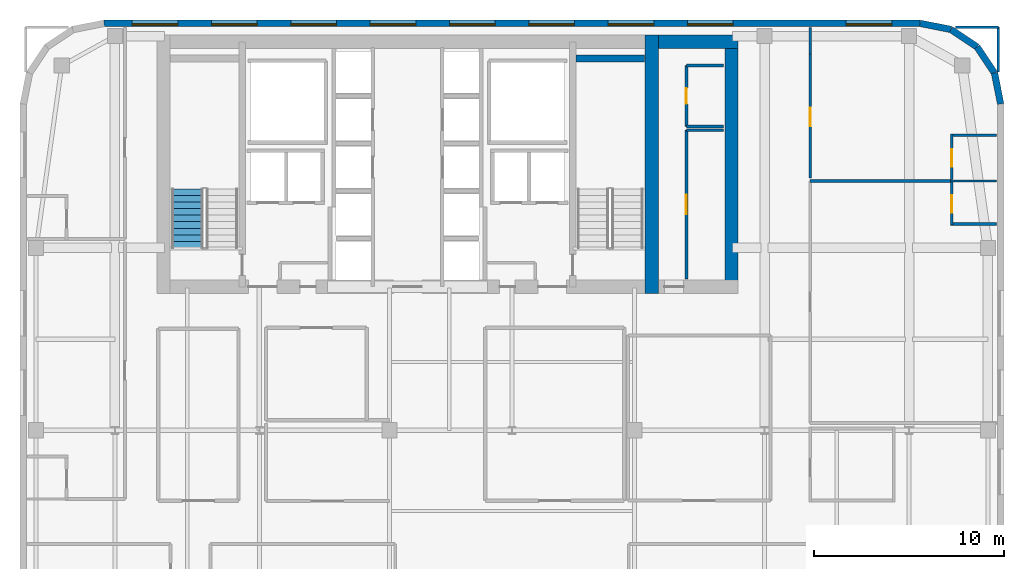
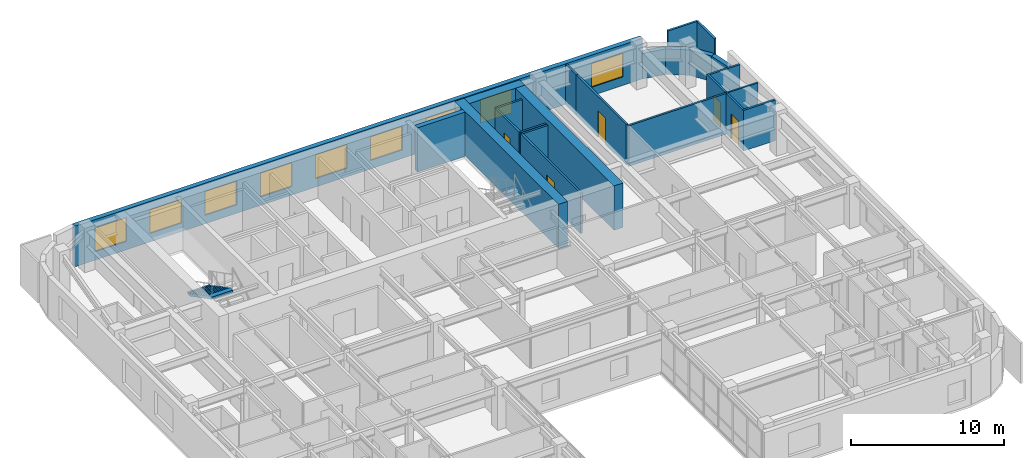
# One storey, part 12 of 14: 24 walls, 9 windows, 5 doors, 1 stair flight, 14 openings, 1 element without a shape of its own.
"""IFC4 building model written with IfcOpenShell, lengths in metres."""

from ifc_helpers import new_model, si_unit, direction, frame, frame_2d, origin, place, context, subcontext, project, spatial, polyline, rectangle, outline, extrude, source, transform, mapped, material, layer, layer_set, type_object, type_shapes, element, fill, aggregate, save


model = new_model("IFC4")

# Units and contexts
model_context = context("Model", 3, precision=1e-05, world=origin(), true_north=direction((0.0, 1.0)))
body_context = subcontext(model_context, "Body", "Model", "MODEL_VIEW")
ifc_project = project(units=[si_unit("LENGTHUNIT", "METRE"), si_unit("AREAUNIT", "SQUARE_METRE"), si_unit("VOLUMEUNIT", "CUBIC_METRE"), si_unit("PLANEANGLEUNIT", "RADIAN"), si_unit("MASSUNIT", "GRAM", prefix="KILO")], contexts=[model_context])

# Site, building, storey
site_placement = place(None, origin())
site = spatial("IfcSite", under=ifc_project, at=site_placement, CompositionType="ELEMENT")
building_placement = place(site_placement, origin())
building = spatial("IfcBuilding", under=site, at=building_placement, Name="Tolvann Quenvar Hotel", CompositionType="ELEMENT")
storey_placement = place(building_placement, frame((0.0, 0.0, 179.0)))
storey = spatial("IfcBuildingStorey", under=building, at=storey_placement, Name="L47", CompositionType="ELEMENT", Elevation=179.0)

# Walls
ifc_material_1 = material(Name="Concrete S65 (65 MPa)", Category="concrete")
ifc_layer_1 = layer(ifc_material_1, 0.699951171875)
ifc_layer_set_1 = layer_set([ifc_layer_1], Name="Concrete S65 (65 MPa)")
wall_type_1 = type_object("IfcWallType", Name="WALL_CORE_700", PredefinedType="SHEAR", material=ifc_layer_set_1)
wall_1_placement = place(storey_placement, frame((35.85009765625, 31.60009765625, 0.0), z_axis=(0.0, 0.0, 1.0), x_axis=(0.0, 1.0, 0.0)))
element("IfcWall", 1, at=wall_1_placement, inside=storey, type_object=wall_type_1, Name="Rear Core E Shear Wall (L47)", PredefinedType="SHEAR", context=body_context, shape_type="SweptSolid", body=[
    extrude(rectangle(XDim=13.599853515625, YDim=0.699951171875, at=frame_2d((6.7998046875, 0.0))), origin(), (0.0, 0.0, 1.0), 3.550048828125),
])
wall_2_placement = place(storey_placement, frame((36.199951171875, 44.85009765625, 0.0), z_axis=(0.0, 0.0, 1.0), x_axis=(1.0, 0.0, 0.0)))
element("IfcWall", 2, at=wall_2_placement, inside=storey, type_object=wall_type_1, Name="Core East Annex Shear Wall ANN-N (L47)", PredefinedType="SHEAR", context=body_context, shape_type="SweptSolid", body=[
    extrude(rectangle(XDim=4.199951171875, YDim=0.699951171875, at=frame_2d((2.10009765625, 0.0))), origin(), (0.0, 0.0, 1.0), 3.550048828125),
])
wall_3_placement = place(storey_placement, frame((40.050048828125, 31.60009765625, 0.0), z_axis=(0.0, 0.0, 1.0), x_axis=(0.0, 1.0, 0.0)))
element("IfcWall", 3, at=wall_3_placement, inside=storey, type_object=wall_type_1, Name="Core East Annex Shear Wall ANN-E (L47)", PredefinedType="SHEAR", context=body_context, shape_type="SweptSolid", body=[
    extrude(rectangle(XDim=13.599853515625, YDim=0.699951171875, at=frame_2d((6.7998046875, 0.0))), origin(), (0.0, 0.0, 1.0), 3.550048828125),
])
ifc_layer_2 = layer(ifc_material_1, 0.35009765625)
ifc_layer_set_2 = layer_set([ifc_layer_2], Name="Concrete S65 (65 MPa)")
wall_type_2 = type_object("IfcWallType", Name="WALL_CORE_INT_350", PredefinedType="SHEAR", material=ifc_layer_set_2)
wall_4_placement = place(storey_placement, frame((31.8798828125, 43.97509765625, 0.0), z_axis=(0.0, 0.0, 1.0), x_axis=(1.0, 0.0, 0.0)))
element("IfcWall", 4, at=wall_4_placement, inside=storey, type_object=wall_type_2, Name="Core Stair North Closing Shear Wall STC2-N (L47)", PredefinedType="SHEAR", context=body_context, shape_type="SweptSolid", body=[
    extrude(rectangle(XDim=3.60009765625, YDim=0.35009765625, at=frame_2d((1.800048828125, 0.0))), origin(), (0.0, 0.0, 1.0), 3.550048828125),
])
ifc_material_2 = material(Name="Kiln-fired red and buff architectural clay brickwork and terracotta masonry", Category="masonry")
ifc_layer_3 = layer(ifc_material_2, 0.35009765625)
ifc_layer_set_3 = layer_set([ifc_layer_3], Name="Kiln-fired red and buff architectural clay brickwork and terracotta masonry")
wall_type_3 = type_object("IfcWallType", Name="WALL_EXT_BRICK_350", PredefinedType="SOLIDWALL", material=ifc_layer_set_3)
wall_5_placement = place(storey_placement, frame((54.22509765625, 41.582763671875, 0.0), z_axis=(0.0, 0.0, 1.0), x_axis=(-0.195044345786, 0.980794424524, 0.0)))
element("IfcWall", 5, at=wall_5_placement, inside=storey, type_object=wall_type_3, Name="Exterior Chicago Brick Wall L47-E14", PredefinedType="SOLIDWALL", context=body_context, shape_type="SweptSolid", body=[
    extrude(rectangle(XDim=1.664794921875, YDim=0.35009765625, at=frame_2d((0.83251953125, 0.0))), origin(), (0.0, 0.0, 1.0), 2.0400390625),
])
for number, where, z_axis, x_axis, name in (
    (6, (53.900390625, 43.215576171875, 0.0), (0.0, 0.0, 1.0), (-0.555623290322, 0.831434158098, 0.0), "Exterior Chicago Brick Wall L47-E15"),
    (7, (52.985107421875, 44.585205078125, 0.0), (0.0, 0.0, 1.0), (-0.831502623162, 0.555520825599, 0.0), "Exterior Chicago Brick Wall L47-E16"),
):
    element("IfcWall", number, at=place(storey_placement, frame(where, z_axis=z_axis, x_axis=x_axis)), inside=storey, type_object=wall_type_3, Name=name, PredefinedType="SOLIDWALL", context=body_context, shape_type="SweptSolid", body=[
        extrude(rectangle(XDim=1.647216796875, YDim=0.35009765625, at=frame_2d((0.82373046875, 0.0))), origin(), (0.0, 0.0, 1.0), 2.0400390625),
    ])
wall_6_placement = place(storey_placement, frame((51.615478515625, 45.500244140625, 0.0), z_axis=(0.0, 0.0, 1.0), x_axis=(-0.980788844421, 0.195072403631, 0.0)))
element("IfcWall", 8, at=wall_6_placement, inside=storey, type_object=wall_type_3, Name="Exterior Chicago Brick Wall L47-E17", PredefinedType="SOLIDWALL", context=body_context, shape_type="SweptSolid", body=[
    extrude(rectangle(XDim=1.66455078125, YDim=0.35009765625, at=frame_2d((0.832275390625, 0.0))), origin(), (0.0, 0.0, 1.0), 2.0400390625),
])

# Wall, openings, windows
wall_7_placement = place(storey_placement, frame((49.98291015625, 45.824951171875, 0.0), z_axis=(0.0, 0.0, 1.0), x_axis=(-1.0, 0.0, 0.0)))
wall_7 = element("IfcWall", 9, at=wall_7_placement, inside=storey, type_object=wall_type_3, Name="Exterior Chicago Brick Wall L47-E18", PredefinedType="SOLIDWALL", context=body_context, shape_type="SweptSolid", body=[
    extrude(rectangle(XDim=42.9658203125, YDim=0.35009765625, at=frame_2d((21.48291015625, 0.0))), origin(), (0.0, 0.0, 1.0), 3.25),
])
opening_1_placement = place(wall_7_placement, frame((1.488037109375, 0.0, 0.679931640625)))
opening_1 = element("IfcOpeningElement", 10, at=opening_1_placement, cuts=wall_7, Name="Opening W-01", PredefinedType="OPENING", context=body_context, shape_type="SweptSolid", body=[
    extrude(rectangle(XDim=2.39990234375, YDim=1.89990234375, at=frame_2d((1.199951171875, 0.949951171875))), frame((0.0, 0.18505859375, 0.0), z_axis=(0.0, -1.0, 0.0), x_axis=(1.0, 0.0, 0.0)), (0.0, 0.0, 1.0), 0.3701171875),
])
opening_2_placement = place(wall_7_placement, frame((9.841064453125, 0.0, 0.679931640625)))
opening_2 = element("IfcOpeningElement", 11, at=opening_2_placement, cuts=wall_7, Name="Opening W-01", PredefinedType="OPENING", context=body_context, shape_type="SweptSolid", body=[
    extrude(rectangle(XDim=2.39990234375, YDim=1.89990234375, at=frame_2d((1.199951171875, 0.949951171875))), frame((0.0, 0.18505859375, 0.0), z_axis=(0.0, -1.0, 0.0), x_axis=(1.0, 0.0, 0.0)), (0.0, 0.0, 1.0), 0.3701171875),
])
opening_3_placement = place(wall_7_placement, frame((14.01806640625, 0.0, 0.679931640625)))
opening_3 = element("IfcOpeningElement", 12, at=opening_3_placement, cuts=wall_7, Name="Opening W-01", PredefinedType="OPENING", context=body_context, shape_type="SweptSolid", body=[
    extrude(rectangle(XDim=2.39990234375, YDim=1.89990234375, at=frame_2d((1.199951171875, 0.949951171875))), frame((0.0, 0.18505859375, 0.0), z_axis=(0.0, -1.0, 0.0), x_axis=(1.0, 0.0, 0.0)), (0.0, 0.0, 1.0), 0.3701171875),
])
opening_4_placement = place(wall_7_placement, frame((18.195068359375, 0.0, 0.679931640625)))
opening_4 = element("IfcOpeningElement", 13, at=opening_4_placement, cuts=wall_7, Name="Opening W-01", PredefinedType="OPENING", context=body_context, shape_type="SweptSolid", body=[
    extrude(rectangle(XDim=2.39990234375, YDim=1.89990234375, at=frame_2d((1.199951171875, 0.949951171875))), frame((0.0, 0.18505859375, 0.0), z_axis=(0.0, -1.0, 0.0), x_axis=(1.0, 0.0, 0.0)), (0.0, 0.0, 1.0), 0.3701171875),
])
opening_5_placement = place(wall_7_placement, frame((22.37109375, 0.0, 0.679931640625)))
opening_5 = element("IfcOpeningElement", 14, at=opening_5_placement, cuts=wall_7, Name="Opening W-01", PredefinedType="OPENING", context=body_context, shape_type="SweptSolid", body=[
    extrude(rectangle(XDim=2.39990234375, YDim=1.89990234375, at=frame_2d((1.199951171875, 0.949951171875))), frame((0.0, 0.18505859375, 0.0), z_axis=(0.0, -1.0, 0.0), x_axis=(1.0, 0.0, 0.0)), (0.0, 0.0, 1.0), 0.3701171875),
])
opening_6_placement = place(wall_7_placement, frame((26.548095703125, 0.0, 0.679931640625)))
opening_6 = element("IfcOpeningElement", 15, at=opening_6_placement, cuts=wall_7, Name="Opening W-01", PredefinedType="OPENING", context=body_context, shape_type="SweptSolid", body=[
    extrude(rectangle(XDim=2.39990234375, YDim=1.89990234375, at=frame_2d((1.199951171875, 0.949951171875))), frame((0.0, 0.18505859375, 0.0), z_axis=(0.0, -1.0, 0.0), x_axis=(1.0, 0.0, 0.0)), (0.0, 0.0, 1.0), 0.3701171875),
])
opening_7_placement = place(wall_7_placement, frame((30.72412109375, 0.0, 0.679931640625)))
opening_7 = element("IfcOpeningElement", 16, at=opening_7_placement, cuts=wall_7, Name="Opening W-01", PredefinedType="OPENING", context=body_context, shape_type="SweptSolid", body=[
    extrude(rectangle(XDim=2.39990234375, YDim=1.89990234375, at=frame_2d((1.199951171875, 0.949951171875))), frame((0.0, 0.18505859375, 0.0), z_axis=(0.0, -1.0, 0.0), x_axis=(1.0, 0.0, 0.0)), (0.0, 0.0, 1.0), 0.3701171875),
])
opening_8_placement = place(wall_7_placement, frame((34.90087890625, 0.0, 0.679931640625)))
opening_8 = element("IfcOpeningElement", 17, at=opening_8_placement, cuts=wall_7, Name="Opening W-01", PredefinedType="OPENING", context=body_context, shape_type="SweptSolid", body=[
    extrude(rectangle(XDim=2.39990234375, YDim=1.89990234375, at=frame_2d((1.199951171875, 0.949951171875))), frame((0.0, 0.18505859375, 0.0), z_axis=(0.0, -1.0, 0.0), x_axis=(1.0, 0.0, 0.0)), (0.0, 0.0, 1.0), 0.3701171875),
])
opening_9_placement = place(wall_7_placement, frame((39.076904296875, 0.0, 0.679931640625)))
opening_9 = element("IfcOpeningElement", 18, at=opening_9_placement, cuts=wall_7, Name="Opening W-01", PredefinedType="OPENING", context=body_context, shape_type="SweptSolid", body=[
    extrude(rectangle(XDim=2.39990234375, YDim=1.89990234375, at=frame_2d((1.199951171875, 0.949951171875))), frame((0.0, 0.18505859375, 0.0), z_axis=(0.0, -1.0, 0.0), x_axis=(1.0, 0.0, 0.0)), (0.0, 0.0, 1.0), 0.3701171875),
])
ifc_material_3 = material(Name="Thermally broken bronze-anodised aluminium frame with double low-E glazing", Category="aluminium")
window_type = type_object("IfcWindowType", Name="WIN_CHI_2400x2050", PartitioningType="TRIPLE_PANEL_HORIZONTAL", PredefinedType="WINDOW", material=ifc_material_3)
shared_shape_1 = source(origin(), body_context, "Body", "SweptSolid", [
    extrude(rectangle(XDim=2.39990234375, YDim=1.89990234375, at=frame_2d((1.199951171875, 0.949951171875))), frame((0.0, 0.090087890625, 0.0), z_axis=(0.0, -1.0, 0.0), x_axis=(1.0, 0.0, 0.0)), (0.0, 0.0, 1.0), 0.06005859375),
])
type_shapes(window_type, [shared_shape_1])
window_1_placement = place(opening_1_placement, origin())
window_1 = element("IfcWindow", 19, at=window_1_placement, inside=storey, type_object=window_type, Name="Chicago Window W-01 (EW-L47-E18-W01)", OverallHeight=1.89990234375, OverallWidth=2.39990234375, PartitioningType="TRIPLE_PANEL_HORIZONTAL", PredefinedType="WINDOW", context=body_context, shape_type="MappedRepresentation", body=[
    mapped(shared_shape_1, transform((0.0, 0.0, 0.0), x_axis=(1.0, 0.0, 0.0), y_axis=(0.0, 1.0, 0.0), z_axis=(0.0, 0.0, 1.0), scale=1.0)),
])
fill(opening_1, window_1)
window_2_placement = place(opening_2_placement, origin())
window_2 = element("IfcWindow", 20, at=window_2_placement, inside=storey, type_object=window_type, Name="Chicago Window W-01 (EW-L47-E18-W02)", OverallHeight=1.89990234375, OverallWidth=2.39990234375, PartitioningType="TRIPLE_PANEL_HORIZONTAL", PredefinedType="WINDOW", context=body_context, shape_type="MappedRepresentation", body=[
    mapped(shared_shape_1, transform((0.0, 0.0, 0.0), x_axis=(1.0, 0.0, 0.0), y_axis=(0.0, 1.0, 0.0), z_axis=(0.0, 0.0, 1.0), scale=1.0)),
])
fill(opening_2, window_2)
window_3_placement = place(opening_3_placement, origin())
window_3 = element("IfcWindow", 21, at=window_3_placement, inside=storey, type_object=window_type, Name="Chicago Window W-01 (EW-L47-E18-W03)", OverallHeight=1.89990234375, OverallWidth=2.39990234375, PartitioningType="TRIPLE_PANEL_HORIZONTAL", PredefinedType="WINDOW", context=body_context, shape_type="MappedRepresentation", body=[
    mapped(shared_shape_1, transform((0.0, 0.0, 0.0), x_axis=(1.0, 0.0, 0.0), y_axis=(0.0, 1.0, 0.0), z_axis=(0.0, 0.0, 1.0), scale=1.0)),
])
fill(opening_3, window_3)
window_4_placement = place(opening_4_placement, origin())
window_4 = element("IfcWindow", 22, at=window_4_placement, inside=storey, type_object=window_type, Name="Chicago Window W-01 (EW-L47-E18-W04)", OverallHeight=1.89990234375, OverallWidth=2.39990234375, PartitioningType="TRIPLE_PANEL_HORIZONTAL", PredefinedType="WINDOW", context=body_context, shape_type="MappedRepresentation", body=[
    mapped(shared_shape_1, transform((0.0, 0.0, 0.0), x_axis=(1.0, 0.0, 0.0), y_axis=(0.0, 1.0, 0.0), z_axis=(0.0, 0.0, 1.0), scale=1.0)),
])
fill(opening_4, window_4)
window_5_placement = place(opening_5_placement, origin())
window_5 = element("IfcWindow", 23, at=window_5_placement, inside=storey, type_object=window_type, Name="Chicago Window W-01 (EW-L47-E18-W05)", OverallHeight=1.89990234375, OverallWidth=2.39990234375, PartitioningType="TRIPLE_PANEL_HORIZONTAL", PredefinedType="WINDOW", context=body_context, shape_type="MappedRepresentation", body=[
    mapped(shared_shape_1, transform((0.0, 0.0, 0.0), x_axis=(1.0, 0.0, 0.0), y_axis=(0.0, 1.0, 0.0), z_axis=(0.0, 0.0, 1.0), scale=1.0)),
])
fill(opening_5, window_5)
window_6_placement = place(opening_6_placement, origin())
window_6 = element("IfcWindow", 24, at=window_6_placement, inside=storey, type_object=window_type, Name="Chicago Window W-01 (EW-L47-E18-W06)", OverallHeight=1.89990234375, OverallWidth=2.39990234375, PartitioningType="TRIPLE_PANEL_HORIZONTAL", PredefinedType="WINDOW", context=body_context, shape_type="MappedRepresentation", body=[
    mapped(shared_shape_1, transform((0.0, 0.0, 0.0), x_axis=(1.0, 0.0, 0.0), y_axis=(0.0, 1.0, 0.0), z_axis=(0.0, 0.0, 1.0), scale=1.0)),
])
fill(opening_6, window_6)
window_7_placement = place(opening_7_placement, origin())
window_7 = element("IfcWindow", 25, at=window_7_placement, inside=storey, type_object=window_type, Name="Chicago Window W-01 (EW-L47-E18-W07)", OverallHeight=1.89990234375, OverallWidth=2.39990234375, PartitioningType="TRIPLE_PANEL_HORIZONTAL", PredefinedType="WINDOW", context=body_context, shape_type="MappedRepresentation", body=[
    mapped(shared_shape_1, transform((0.0, 0.0, 0.0), x_axis=(1.0, 0.0, 0.0), y_axis=(0.0, 1.0, 0.0), z_axis=(0.0, 0.0, 1.0), scale=1.0)),
])
fill(opening_7, window_7)
window_8_placement = place(opening_8_placement, origin())
window_8 = element("IfcWindow", 26, at=window_8_placement, inside=storey, type_object=window_type, Name="Chicago Window W-01 (EW-L47-E18-W08)", OverallHeight=1.89990234375, OverallWidth=2.39990234375, PartitioningType="TRIPLE_PANEL_HORIZONTAL", PredefinedType="WINDOW", context=body_context, shape_type="MappedRepresentation", body=[
    mapped(shared_shape_1, transform((0.0, 0.0, 0.0), x_axis=(1.0, 0.0, 0.0), y_axis=(0.0, 1.0, 0.0), z_axis=(0.0, 0.0, 1.0), scale=1.0)),
])
fill(opening_8, window_8)
window_9_placement = place(opening_9_placement, origin())
window_9 = element("IfcWindow", 27, at=window_9_placement, inside=storey, type_object=window_type, Name="Chicago Window W-01 (EW-L47-E18-W09)", OverallHeight=1.89990234375, OverallWidth=2.39990234375, PartitioningType="TRIPLE_PANEL_HORIZONTAL", PredefinedType="WINDOW", context=body_context, shape_type="MappedRepresentation", body=[
    mapped(shared_shape_1, transform((0.0, 0.0, 0.0), x_axis=(1.0, 0.0, 0.0), y_axis=(0.0, 1.0, 0.0), z_axis=(0.0, 0.0, 1.0), scale=1.0)),
])
fill(opening_9, window_9)

# Wall
ifc_material_4 = material(Name="Moisture-resistant acoustic plumbing wall assembly")
ifc_layer_4 = layer(ifc_material_4, 0.1201171875)
ifc_layer_set_4 = layer_set([ifc_layer_4], Name="Moisture-resistant acoustic plumbing wall assembly")
wall_type_4 = type_object("IfcWallType", Name="WALL_PART_BATH_120", PredefinedType="PLUMBINGWALL", material=ifc_layer_set_4)
wall_8_placement = place(storey_placement, frame((51.580078125, 37.52001953125, 0.0), z_axis=(0.0, 0.0, 1.0), x_axis=(1.0, 0.0, 0.0)))
element("IfcWall", 28, at=wall_8_placement, inside=storey, type_object=wall_type_4, Name="Non-Rated Plumbing Partition PT-SPC-L47-ENS-NE01-N", PredefinedType="PLUMBINGWALL", context=body_context, shape_type="SweptSolid", body=[
    extrude(rectangle(XDim=2.4150390625, YDim=0.1201171875, at=frame_2d((1.20751953125, 0.0))), origin(), (0.0, 0.0, 1.0), 3.25),
])

# Wall, opening, door
ifc_material_5 = material(Name="Acoustic twin-stud fire-rated gypsum plasterboard partition")
ifc_layer_5 = layer(ifc_material_5, 0.14990234375)
ifc_layer_set_5 = layer_set([ifc_layer_5], Name="Acoustic twin-stud fire-rated gypsum plasterboard partition")
wall_type_5 = type_object("IfcWallType", Name="WALL_PART_SUITE_150", PredefinedType="PARTITIONING", material=ifc_layer_set_5)
wall_9_placement = place(storey_placement, frame((51.64990234375, 35.199951171875, 0.0), z_axis=(0.0, 0.0, 1.0), x_axis=(0.0, 1.0, 0.0)))
wall_9 = element("IfcWall", 29, at=wall_9_placement, inside=storey, type_object=wall_type_5, Name="Interior Partition PT-SPC-L47-ENS-NE01-ENT", PredefinedType="PARTITIONING", context=body_context, shape_type="SweptSolid", body=[
    extrude(rectangle(XDim=2.39013671875, YDim=0.14990234375, at=frame_2d((1.195068359375, 0.0))), origin(), (0.0, 0.0, 1.0), 3.25),
])
opening_10_placement = place(wall_9_placement, frame((0.6650390625, 0.0, 0.0)))
opening_10 = element("IfcOpeningElement", 30, at=opening_10_placement, cuts=wall_9, Name="Opening WD-01", PredefinedType="OPENING", context=body_context, shape_type="SweptSolid", body=[
    extrude(rectangle(XDim=0.919921875, YDim=2.010009765625, at=frame_2d((0.4599609375, 1.0048828125))), frame((0.0, 0.0849609375, 0.0), z_axis=(0.0, -1.0, 0.0), x_axis=(1.0, 0.0, 0.0)), (0.0, 0.0, 1.0), 0.169921875),
])
ifc_material_6 = material(Name="Solid-core American oak acoustic fire door leaf in steel frame", Category="steel")
door_type_1 = type_object("IfcDoorType", Name="DOOR_WC_920", OperationType="NOTDEFINED", PredefinedType="DOOR", material=ifc_material_6)
shared_shape_2 = source(origin(), body_context, "Body", "SweptSolid", [
    extrude(rectangle(XDim=0.919921875, YDim=2.010009765625, at=frame_2d((0.4599609375, 1.0048828125))), frame((0.0, 0.02490234375, 0.0), z_axis=(0.0, -1.0, 0.0), x_axis=(1.0, 0.0, 0.0)), (0.0, 0.0, 1.0), 0.050048828125),
])
type_shapes(door_type_1, [shared_shape_2])
door_1_placement = place(opening_10_placement, origin())
door_1 = element("IfcDoor", 31, at=door_1_placement, inside=storey, type_object=door_type_1, Name="Interior Door DOOR-SPC-L47-ENS-NE01", OperationType="SINGLE_SWING_RIGHT", OverallHeight=2.010009765625, OverallWidth=0.919921875, PredefinedType="DOOR", context=body_context, shape_type="MappedRepresentation", body=[
    mapped(shared_shape_2, transform((0.0, 0.0, 0.0), x_axis=(1.0, 0.0, 0.0), y_axis=(0.0, 1.0, 0.0), z_axis=(0.0, 0.0, 1.0), scale=1.0)),
])
fill(opening_10, door_1)

# Wall
wall_10_placement = place(storey_placement, frame((51.580078125, 35.27001953125, 0.0), z_axis=(0.0, 0.0, 1.0), x_axis=(1.0, 0.0, 0.0)))
element("IfcWall", 32, at=wall_10_placement, inside=storey, type_object=wall_type_5, Name="Interior Partition PT-SPC-L47-ENS-NE01-S", PredefinedType="PARTITIONING", context=body_context, shape_type="SweptSolid", body=[
    extrude(rectangle(XDim=2.4150390625, YDim=0.14990234375, at=frame_2d((1.20751953125, 0.0))), origin(), (0.0, 0.0, 1.0), 3.25),
])

# Wall, opening, door
wall_11_placement = place(storey_placement, frame((51.64990234375, 37.610107421875, 0.0), z_axis=(0.0, 0.0, 1.0), x_axis=(0.0, 1.0, 0.0)))
wall_11 = element("IfcWall", 33, at=wall_11_placement, inside=storey, type_object=wall_type_5, Name="Interior Partition PT-SPC-L47-ENS-NE02-ENT", PredefinedType="PARTITIONING", context=body_context, shape_type="SweptSolid", body=[
    extrude(rectangle(XDim=2.389892578125, YDim=0.14990234375, at=frame_2d((1.19482421875, 0.0))), origin(), (0.0, 0.0, 1.0), 3.25),
])
opening_11_placement = place(wall_11_placement, frame((0.6650390625, 0.0, 0.0)))
opening_11 = element("IfcOpeningElement", 34, at=opening_11_placement, cuts=wall_11, Name="Opening WD-01", PredefinedType="OPENING", context=body_context, shape_type="SweptSolid", body=[
    extrude(rectangle(XDim=0.919921875, YDim=2.010009765625, at=frame_2d((0.4599609375, 1.0048828125))), frame((0.0, 0.0849609375, 0.0), z_axis=(0.0, -1.0, 0.0), x_axis=(1.0, 0.0, 0.0)), (0.0, 0.0, 1.0), 0.169921875),
])
door_2_placement = place(opening_11_placement, origin())
door_2 = element("IfcDoor", 35, at=door_2_placement, inside=storey, type_object=door_type_1, Name="Interior Door DOOR-SPC-L47-ENS-NE02", OperationType="SINGLE_SWING_LEFT", OverallHeight=2.010009765625, OverallWidth=0.919921875, PredefinedType="DOOR", context=body_context, shape_type="MappedRepresentation", body=[
    mapped(shared_shape_2, transform((0.0, 0.0, 0.0), x_axis=(1.0, 0.0, 0.0), y_axis=(0.0, 1.0, 0.0), z_axis=(0.0, 0.0, 1.0), scale=1.0)),
])
fill(opening_11, door_2)

# Walls
wall_12_placement = place(storey_placement, frame((51.580078125, 39.929931640625, 0.0), z_axis=(0.0, 0.0, 1.0), x_axis=(1.0, 0.0, 0.0)))
element("IfcWall", 36, at=wall_12_placement, inside=storey, type_object=wall_type_5, Name="Interior Partition PT-SPC-L47-ENS-NE02-N", PredefinedType="PARTITIONING", context=body_context, shape_type="SweptSolid", body=[
    extrude(rectangle(XDim=2.4150390625, YDim=0.14990234375, at=frame_2d((1.20751953125, 0.0))), origin(), (0.0, 0.0, 1.0), 3.25),
])
wall_13_placement = place(storey_placement, frame((37.679931640625, 40.199951171875, 0.0), z_axis=(0.0, 0.0, 1.0), x_axis=(1.0, 0.0, 0.0)))
element("IfcWall", 37, at=wall_13_placement, inside=storey, type_object=wall_type_5, Name="Interior Partition PT-SPC-L47-RECPL-1-N", PredefinedType="PARTITIONING", context=body_context, shape_type="SweptSolid", body=[
    extrude(rectangle(XDim=1.965087890625, YDim=0.14990234375, at=frame_2d((0.982421875, 0.0))), origin(), (0.0, 0.0, 1.0), 3.25),
])

# Wall, opening, door
wall_14_placement = place(storey_placement, frame((37.679931640625, 32.35498046875, 0.0), z_axis=(0.0, 0.0, 1.0), x_axis=(0.0, 1.0, 0.0)))
wall_14 = element("IfcWall", 38, at=wall_14_placement, inside=storey, type_object=wall_type_5, Name="Interior Partition PT-SPC-L47-RECPL-1-W", PredefinedType="PARTITIONING", context=body_context, shape_type="SweptSolid", body=[
    extrude(rectangle(XDim=7.844970703125, YDim=0.14990234375, at=frame_2d((3.92236328125, 0.0))), origin(), (0.0, 0.0, 1.0), 3.25),
])
opening_12_placement = place(wall_14_placement, frame((3.41259765625, 0.0, 0.0)))
opening_12 = element("IfcOpeningElement", 39, at=opening_12_placement, cuts=wall_14, Name="Opening HD-01", PredefinedType="OPENING", context=body_context, shape_type="SweptSolid", body=[
    extrude(rectangle(XDim=1.02001953125, YDim=2.030029296875, at=frame_2d((0.510009765625, 1.01513671875))), frame((0.0, 0.0849609375, 0.0), z_axis=(0.0, -1.0, 0.0), x_axis=(1.0, 0.0, 0.0)), (0.0, 0.0, 1.0), 0.169921875),
])
ifc_material_7 = material(Name="Pressed galvanised steel fire-rated door set", Category="steel")
door_type_2 = type_object("IfcDoorType", Name="DOOR_BOH_1020", OperationType="NOTDEFINED", PredefinedType="DOOR", material=ifc_material_7)
shared_shape_3 = source(origin(), body_context, "Body", "SweptSolid", [
    extrude(rectangle(XDim=1.02001953125, YDim=2.030029296875, at=frame_2d((0.510009765625, 1.01513671875))), frame((0.0, 0.02490234375, 0.0), z_axis=(0.0, -1.0, 0.0), x_axis=(1.0, 0.0, 0.0)), (0.0, 0.0, 1.0), 0.050048828125),
])
type_shapes(door_type_2, [shared_shape_3])
door_3_placement = place(opening_12_placement, origin())
door_3 = element("IfcDoor", 40, at=door_3_placement, inside=storey, type_object=door_type_2, Name="Interior Door DOOR-SPC-L47-RECPL-1", OperationType="SINGLE_SWING_RIGHT", OverallHeight=2.030029296875, OverallWidth=1.02001953125, PredefinedType="DOOR", context=body_context, shape_type="MappedRepresentation", body=[
    mapped(shared_shape_3, transform((0.0, 0.0, 0.0), x_axis=(1.0, 0.0, 0.0), y_axis=(0.0, 1.0, 0.0), z_axis=(0.0, 0.0, 1.0), scale=1.0)),
])
fill(opening_12, door_3)

# Walls
for number, where, z_axis, x_axis, name in (
    (41, (37.679931640625, 40.39990234375, 0.0), (0.0, 0.0, 1.0), (1.0, 0.0, 0.0), "Interior Partition PT-SPC-L47-CSE-1-S"),
    (42, (37.679931640625, 43.60009765625, 0.0), (0.0, 0.0, 1.0), (1.0, 0.0, 0.0), "Interior Partition PT-SPC-L47-CSE-1-N"),
):
    element("IfcWall", number, at=place(storey_placement, frame(where, z_axis=z_axis, x_axis=x_axis)), inside=storey, type_object=wall_type_5, Name=name, PredefinedType="PARTITIONING", context=body_context, shape_type="SweptSolid", body=[
        extrude(rectangle(XDim=1.965087890625, YDim=0.14990234375, at=frame_2d((0.982421875, 0.0))), origin(), (0.0, 0.0, 1.0), 3.25),
    ])

# Wall, opening, door
wall_15_placement = place(storey_placement, frame((37.679931640625, 40.39990234375, 0.0), z_axis=(0.0, 0.0, 1.0), x_axis=(0.0, 1.0, 0.0)))
wall_15 = element("IfcWall", 43, at=wall_15_placement, inside=storey, type_object=wall_type_5, Name="Interior Partition PT-SPC-L47-CSE-1-W", PredefinedType="PARTITIONING", context=body_context, shape_type="SweptSolid", body=[
    extrude(rectangle(XDim=3.2001953125, YDim=0.14990234375, at=frame_2d((1.60009765625, 0.0))), origin(), (0.0, 0.0, 1.0), 3.25),
])
opening_13_placement = place(wall_15_placement, frame((1.18994140625, 0.0, 0.0)))
opening_13 = element("IfcOpeningElement", 44, at=opening_13_placement, cuts=wall_15, Name="Opening HD-02", PredefinedType="OPENING", context=body_context, shape_type="SweptSolid", body=[
    extrude(rectangle(XDim=0.820068359375, YDim=2.010009765625, at=frame_2d((0.41015625, 1.0048828125))), frame((0.0, 0.0849609375, 0.0), z_axis=(0.0, -1.0, 0.0), x_axis=(1.0, 0.0, 0.0)), (0.0, 0.0, 1.0), 0.169921875),
])
door_type_3 = type_object("IfcDoorType", Name="DOOR_STORE_820", OperationType="NOTDEFINED", PredefinedType="DOOR", material=ifc_material_7)
shared_shape_4 = source(origin(), body_context, "Body", "SweptSolid", [
    extrude(rectangle(XDim=0.820068359375, YDim=2.010009765625, at=frame_2d((0.41015625, 1.0048828125))), frame((0.0, 0.02490234375, 0.0), z_axis=(0.0, -1.0, 0.0), x_axis=(1.0, 0.0, 0.0)), (0.0, 0.0, 1.0), 0.050048828125),
])
type_shapes(door_type_3, [shared_shape_4])
door_4_placement = place(opening_13_placement, origin())
door_4 = element("IfcDoor", 45, at=door_4_placement, inside=storey, type_object=door_type_3, Name="Interior Door DOOR-SPC-L47-CSE-1", OperationType="SINGLE_SWING_LEFT", OverallHeight=2.010009765625, OverallWidth=0.820068359375, PredefinedType="DOOR", context=body_context, shape_type="MappedRepresentation", body=[
    mapped(shared_shape_4, transform((0.0, 0.0, 0.0), x_axis=(1.0, 0.0, 0.0), y_axis=(0.0, 1.0, 0.0), z_axis=(0.0, 0.0, 1.0), scale=1.0)),
])
fill(opening_13, door_4)

# Wall
wall_16_placement = place(storey_placement, frame((44.199951171875, 37.52001953125, 0.0), z_axis=(0.0, 0.0, 1.0), x_axis=(1.0, 0.0, 0.0)))
element("IfcWall", 46, at=wall_16_placement, inside=storey, type_object=wall_type_5, Name="Interior Partition PT-SPC-L47-RM-NE01-E5", PredefinedType="PARTITIONING", context=body_context, shape_type="SweptSolid", body=[
    extrude(rectangle(XDim=7.429931640625, YDim=0.14990234375, at=frame_2d((3.71484375, 0.0))), origin(), (0.0, 0.0, 1.0), 3.25),
])

# Wall, opening, door
wall_17_placement = place(storey_placement, frame((44.199951171875, 37.679931640625, 0.0), z_axis=(0.0, 0.0, 1.0), x_axis=(0.0, 1.0, 0.0)))
wall_17 = element("IfcWall", 47, at=wall_17_placement, inside=storey, type_object=wall_type_5, Name="Interior Partition PT-SPC-L47-RM-NE02-ENT", PredefinedType="PARTITIONING", context=body_context, shape_type="SweptSolid", body=[
    extrude(rectangle(XDim=6.530029296875, YDim=0.14990234375, at=frame_2d((3.26513671875, 0.0))), origin(), (0.0, 0.0, 1.0), 3.25),
])
opening_14_placement = place(wall_17_placement, frame((2.719970703125, 0.0, 0.0)))
opening_14 = element("IfcOpeningElement", 48, at=opening_14_placement, cuts=wall_17, Name="Opening SD-01", PredefinedType="OPENING", context=body_context, shape_type="SweptSolid", body=[
    extrude(rectangle(XDim=0.97998046875, YDim=2.1201171875, at=frame_2d((0.489990234375, 1.06005859375))), frame((0.0, 0.0849609375, 0.0), z_axis=(0.0, -1.0, 0.0), x_axis=(1.0, 0.0, 0.0)), (0.0, 0.0, 1.0), 0.169921875),
])
door_type_4 = type_object("IfcDoorType", Name="DOOR_SUITE_980", OperationType="NOTDEFINED", PredefinedType="DOOR", material=ifc_material_6)
shared_shape_5 = source(origin(), body_context, "Body", "SweptSolid", [
    extrude(rectangle(XDim=0.97998046875, YDim=2.1201171875, at=frame_2d((0.489990234375, 1.06005859375))), frame((0.0, 0.02490234375, 0.0), z_axis=(0.0, -1.0, 0.0), x_axis=(1.0, 0.0, 0.0)), (0.0, 0.0, 1.0), 0.050048828125),
])
type_shapes(door_type_4, [shared_shape_5])
door_5_placement = place(opening_14_placement, origin())
door_5 = element("IfcDoor", 49, at=door_5_placement, inside=storey, type_object=door_type_4, Name="Interior Door DOOR-SPC-L47-RM-NE02", OperationType="SINGLE_SWING_LEFT", OverallHeight=2.1201171875, OverallWidth=0.97998046875, PredefinedType="DOOR", context=body_context, shape_type="MappedRepresentation", body=[
    mapped(shared_shape_5, transform((0.0, 0.0, 0.0), x_axis=(1.0, 0.0, 0.0), y_axis=(0.0, 1.0, 0.0), z_axis=(0.0, 0.0, 1.0), scale=1.0)),
])
fill(opening_14, door_5)

# Walls
wall_18_placement = place(storey_placement, frame((54.10009765625, 43.2548828125, 0.0), z_axis=(0.0, 0.0, 1.0), x_axis=(0.0, 1.0, 0.0)))
element("IfcWall", 50, at=wall_18_placement, inside=storey, type_object=wall_type_5, Name="Interior Partition PT-SPC-L47-RM-NE02-E4", PredefinedType="PARTITIONING", context=body_context, shape_type="SweptSolid", body=[
    extrude(rectangle(XDim=2.365234375, YDim=0.14990234375, at=frame_2d((1.1826171875, 0.0))), origin(), (0.0, 0.0, 1.0), 3.25),
])
wall_19_placement = place(storey_placement, frame((51.85009765625, 45.6201171875, 0.0), z_axis=(0.0, 0.0, 1.0), x_axis=(1.0, 0.0, 0.0)))
element("IfcWall", 51, at=wall_19_placement, inside=storey, type_object=wall_type_5, Name="Interior Partition PT-SPC-L47-RM-NE02-E5", PredefinedType="PARTITIONING", context=body_context, shape_type="SweptSolid", body=[
    extrude(rectangle(XDim=2.25, YDim=0.14990234375, at=frame_2d((1.125, 0.0))), origin(), (0.0, 0.0, 1.0), 3.25),
])
wall_20_placement = place(storey_placement, frame((44.199951171875, 44.219970703125, 0.0), z_axis=(0.0, 0.0, 1.0), x_axis=(0.0, 1.0, 0.0)))
element("IfcWall", 52, at=wall_20_placement, inside=storey, type_object=wall_type_5, Name="Interior Partition PT-SPC-L47-RM-NE02-E6", PredefinedType="PARTITIONING", context=body_context, shape_type="SweptSolid", body=[
    extrude(rectangle(XDim=1.375, YDim=0.14990234375, at=frame_2d((0.6875, 0.0))), origin(), (0.0, 0.0, 1.0), 3.25),
])

# Stair, stair flight
ifc_material_8 = material(Name="Concrete N40 (40 MPa)", Category="concrete")
stair_type = type_object("IfcStairType", Name="STAIR", PredefinedType="HALF_TURN_STAIR", material=ifc_material_8)
stair_placement = place(storey_placement, origin())
stair = element("IfcStair", 53, at=stair_placement, inside=storey, type_object=stair_type, Name="L47 ST-C1", PredefinedType="HALF_TURN_STAIR")
stair_flight_type = type_object("IfcStairFlightType", Name="STAIR_FLIGHT", PredefinedType="STRAIGHT", material=ifc_material_8)
stair_flight_placement = place(storey_placement, frame((11.425048828125, 37.10498046875, 1.77490234375), z_axis=(0.0, 0.0, 1.0), x_axis=(0.0, -1.0, 0.0)))
stair_flight = element("IfcStairFlight", 54, at=stair_flight_placement, type_object=stair_flight_type, Name="ST-C1 flight 2", NumberOfRisers=10, NumberOfTreads=9, PredefinedType="STRAIGHT", RiserHeight=0.1775, TreadLength=0.345, context=body_context, shape_type="SweptSolid", body=[
    extrude(outline(polyline([(0.0, 0.0), (0.0, 0.177490234375), (0.344970703125, 0.177490234375), (0.344970703125, 0.35498046875), (0.68994140625, 0.35498046875), (0.68994140625, 0.532470703125), (1.034912109375, 0.532470703125), (1.034912109375, 0.7099609375), (1.3798828125, 0.7099609375), (1.3798828125, 0.887451171875), (1.72509765625, 0.887451171875), (1.72509765625, 1.06494140625), (2.070068359375, 1.06494140625), (2.070068359375, 1.242431640625), (2.4150390625, 1.242431640625), (2.4150390625, 1.419921875), (2.760009765625, 1.419921875), (2.760009765625, 1.597412109375), (3.10498046875, 1.597412109375), (3.10498046875, 1.77490234375), (3.10498046875, 1.428955078125), (0.32763671875, 0.0), (0.0, 0.0)])), frame((0.0, 0.824951171875, 0.0), z_axis=(0.0, -1.0, 0.0), x_axis=(1.0, 0.0, 0.0)), (0.0, 0.0, 1.0), 1.64990234375),
])
aggregate(stair, [stair_flight])

save(model, "model.ifc")
